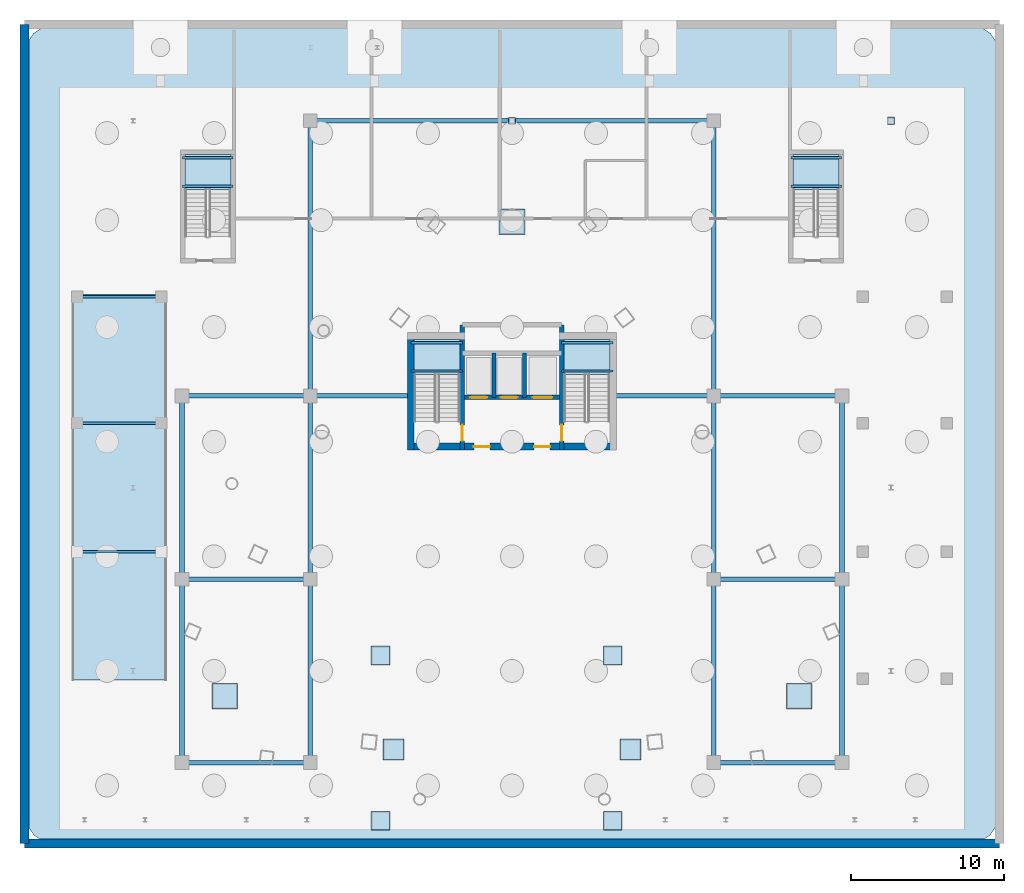
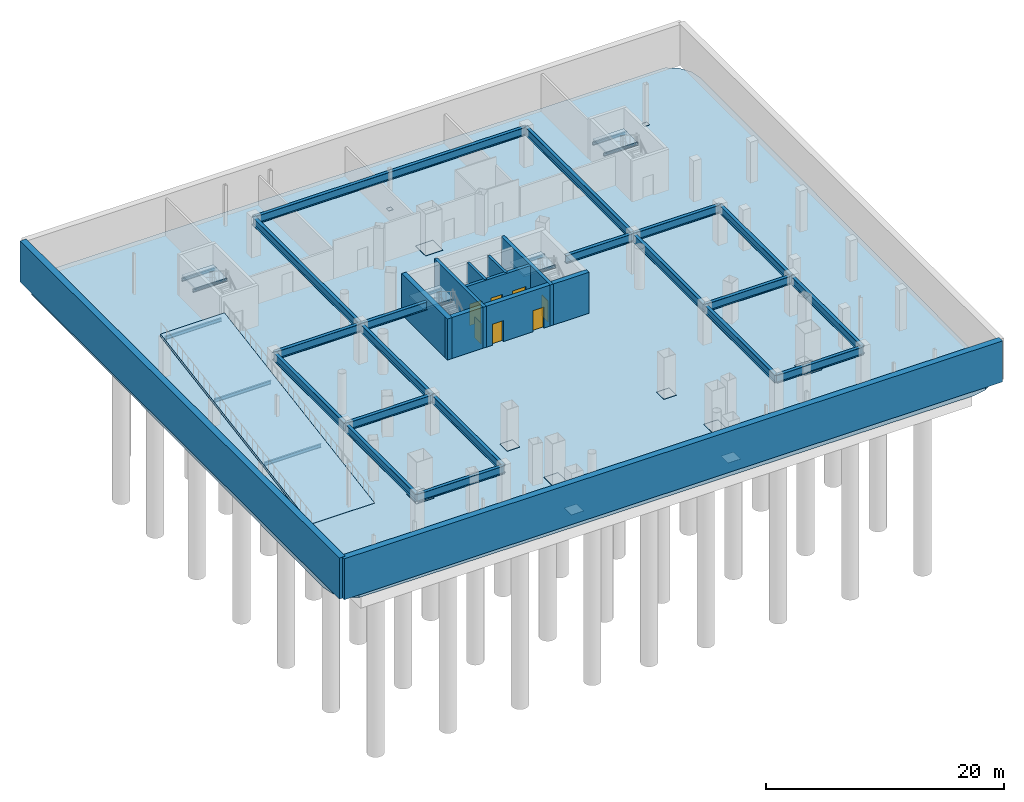
# One storey, part 6 of 12: 30 beams, 11 plates, 9 walls, 7 doors, 6 slabs, 7 openings, 4 elements without a shape of their own.
"""IFC4 building model written with IfcOpenShell, lengths in metres."""

from ifc_helpers import new_model, si_unit, direction, frame, frame_2d, origin, origin_2d, place, context, subcontext, project, spatial, polyline, rectangle, i_section, outline, extrude, material, layer, layer_set, material_profile, profile_set, type_object, element, fill, aggregate, save


model = new_model("IFC4")

# Units and contexts
model_context = context("Model", 3, precision=1e-05, world=origin(), true_north=direction((0.0, 1.0)))
body_context = subcontext(model_context, "Body", "Model", "MODEL_VIEW")
ifc_project = project(units=[si_unit("LENGTHUNIT", "METRE"), si_unit("AREAUNIT", "SQUARE_METRE"), si_unit("VOLUMEUNIT", "CUBIC_METRE"), si_unit("PLANEANGLEUNIT", "RADIAN"), si_unit("MASSUNIT", "GRAM", prefix="KILO")], contexts=[model_context])

# Site, building, storey
site_placement = place(None, origin())
site = spatial("IfcSite", under=ifc_project, at=site_placement, CompositionType="ELEMENT")
building_placement = place(site_placement, origin())
building = spatial("IfcBuilding", under=site, at=building_placement, Name="Orvanel Arch Residences", CompositionType="ELEMENT")
storey_placement = place(building_placement, frame((0.0, 0.0, -8.39990234375)))
storey = spatial("IfcBuildingStorey", under=building, at=storey_placement, Name="B02", CompositionType="ELEMENT", Elevation=-8.39990234375)

# Beams
ifc_material_1 = material(Name="Structural steel AS/NZS 3678 Grade 350", Category="steel")
ifc_material_profile_1 = material_profile(ifc_material_1, i_section(OverallWidth=0.300048828125, OverallDepth=0.81591796875, WebThickness=0.013916015625, FlangeThickness=0.02392578125, at=origin_2d()), Name="800WB192")
ifc_profile_set_1 = profile_set([ifc_material_profile_1], Name="Structural steel AS/NZS 3678 Grade 350")
beam_type_1 = type_object("IfcBeamType", Name="BG-800WB", PredefinedType="BEAM", material=ifc_profile_set_1)
for number, where, z_axis, x_axis, name in (
    (1, (11.39990234375, 6.0, 3.491943359375), (1.0, 0.0, 0.0), (0.0, 1.0, 0.0), "B02 BG-800WB beam"),
    (2, (46.199951171875, 6.0, 3.491943359375), (1.0, 0.0, 0.0), (0.0, 1.0, 0.0), "B02 BG-800WB beam"),
    (3, (11.39990234375, 18.0, 3.491943359375), (1.0, 0.0, 0.0), (0.0, 1.0, 0.0), "B02 BG-800WB beam"),
    (4, (46.199951171875, 18.0, 3.491943359375), (1.0, 0.0, 0.0), (0.0, 1.0, 0.0), "B02 BG-800WB beam"),
    (5, (11.39990234375, 30.0, 3.491943359375), (1.0, 0.0, 0.0), (0.0, 1.0, 0.0), "B02 BG-800WB beam"),
    (6, (46.199951171875, 30.0, 3.491943359375), (1.0, 0.0, 0.0), (0.0, 1.0, 0.0), "B02 BG-800WB beam"),
):
    element("IfcBeam", number, at=place(storey_placement, frame(where, z_axis=z_axis, x_axis=x_axis)), inside=storey, type_object=beam_type_1, Name=name, PredefinedType="BEAM", context=body_context, shape_type="SweptSolid", body=[
        extrude(i_section(OverallWidth=0.300048828125, OverallDepth=0.81591796875, WebThickness=0.013916015625, FlangeThickness=0.02392578125, at=origin_2d()), origin(), (0.0, 0.0, 1.0), 8.400146484375),
    ])
for number, where, z_axis, x_axis, name in (
    (7, (19.800048828125, 30.0, 3.491943359375), (1.0, 0.0, 0.0), (0.0, 1.0, 0.0), "B02 BG-800WB beam"),
    (8, (39.625, 30.0, 3.491943359375), (1.0, 0.0, 0.0), (0.0, 1.0, 0.0), "B02 BG-800WB beam"),
):
    element("IfcBeam", number, at=place(storey_placement, frame(where, z_axis=z_axis, x_axis=x_axis)), inside=storey, type_object=beam_type_1, Name=name, PredefinedType="BEAM", context=body_context, shape_type="SweptSolid", body=[
        extrude(i_section(OverallWidth=0.300048828125, OverallDepth=0.81591796875, WebThickness=0.013916015625, FlangeThickness=0.02392578125, at=origin_2d()), origin(), (0.0, 0.0, 1.0), 6.574951171875),
    ])
beam_1_placement = place(storey_placement, frame((19.800048828125, 48.0, 3.491943359375), z_axis=(1.0, 0.0, 0.0), x_axis=(0.0, 1.0, 0.0)))
element("IfcBeam", 9, at=beam_1_placement, inside=storey, type_object=beam_type_1, Name="B02 BG-800WB beam", PredefinedType="BEAM", context=body_context, shape_type="SweptSolid", body=[
    extrude(i_section(OverallWidth=0.300048828125, OverallDepth=0.81591796875, WebThickness=0.013916015625, FlangeThickness=0.02392578125, at=origin_2d()), origin(), (0.0, 0.0, 1.0), 26.39990234375),
])
for number, where, z_axis, x_axis, name in (
    (10, (11.39990234375, 6.0, 3.491943359375), (0.0, 1.0, 0.0), (-1.0, 0.0, 0.0), "B02 North-South Podium Girder XW11-S"),
    (11, (11.39990234375, 18.0, 3.491943359375), (0.0, 1.0, 0.0), (-1.0, 0.0, 0.0), "B02 North-South Podium Girder XW11-M"),
    (12, (19.800048828125, 6.0, 3.491943359375), (0.0, 1.0, 0.0), (-1.0, 0.0, 0.0), "B02 North-South Podium Girder XW20-S"),
    (13, (19.800048828125, 18.0, 3.491943359375), (0.0, 1.0, 0.0), (-1.0, 0.0, 0.0), "B02 North-South Podium Girder XW20-M"),
):
    element("IfcBeam", number, at=place(storey_placement, frame(where, z_axis=z_axis, x_axis=x_axis)), inside=storey, type_object=beam_type_1, Name=name, PredefinedType="BEAM", context=body_context, shape_type="SweptSolid", body=[
        extrude(i_section(OverallWidth=0.300048828125, OverallDepth=0.81591796875, WebThickness=0.013916015625, FlangeThickness=0.02392578125, at=origin_2d()), origin(), (0.0, 0.0, 1.0), 12.0),
    ])
beam_2_placement = place(storey_placement, frame((19.800048828125, 30.0, 3.491943359375), z_axis=(0.0, 1.0, 0.0), x_axis=(-1.0, 0.0, 0.0)))
element("IfcBeam", 14, at=beam_2_placement, inside=storey, type_object=beam_type_1, Name="B02 North-South Podium Girder XW20-N", PredefinedType="BEAM", context=body_context, shape_type="SweptSolid", body=[
    extrude(i_section(OverallWidth=0.300048828125, OverallDepth=0.81591796875, WebThickness=0.013916015625, FlangeThickness=0.02392578125, at=origin_2d()), origin(), (0.0, 0.0, 1.0), 18.0),
])
for number, where, z_axis, x_axis, name in (
    (15, (46.199951171875, 6.0, 3.491943359375), (0.0, 1.0, 0.0), (-1.0, 0.0, 0.0), "B02 North-South Podium Girder XE46-S"),
    (16, (46.199951171875, 18.0, 3.491943359375), (0.0, 1.0, 0.0), (-1.0, 0.0, 0.0), "B02 North-South Podium Girder XE46-M"),
):
    element("IfcBeam", number, at=place(storey_placement, frame(where, z_axis=z_axis, x_axis=x_axis)), inside=storey, type_object=beam_type_1, Name=name, PredefinedType="BEAM", context=body_context, shape_type="SweptSolid", body=[
        extrude(i_section(OverallWidth=0.300048828125, OverallDepth=0.81591796875, WebThickness=0.013916015625, FlangeThickness=0.02392578125, at=origin_2d()), origin(), (0.0, 0.0, 1.0), 12.0),
    ])
beam_3_placement = place(storey_placement, frame((46.199951171875, 30.0, 3.491943359375), z_axis=(0.0, 1.0, 0.0), x_axis=(-1.0, 0.0, 0.0)))
element("IfcBeam", 17, at=beam_3_placement, inside=storey, type_object=beam_type_1, Name="B02 North-South Podium Girder XE46-N", PredefinedType="BEAM", context=body_context, shape_type="SweptSolid", body=[
    extrude(i_section(OverallWidth=0.300048828125, OverallDepth=0.81591796875, WebThickness=0.013916015625, FlangeThickness=0.02392578125, at=origin_2d()), origin(), (0.0, 0.0, 1.0), 18.0),
])
for number, where, z_axis, x_axis, name in (
    (18, (54.60009765625, 6.0, 3.491943359375), (0.0, 1.0, 0.0), (-1.0, 0.0, 0.0), "B02 North-South Podium Girder XE55-S"),
    (19, (54.60009765625, 18.0, 3.491943359375), (0.0, 1.0, 0.0), (-1.0, 0.0, 0.0), "B02 North-South Podium Girder XE55-M"),
):
    element("IfcBeam", number, at=place(storey_placement, frame(where, z_axis=z_axis, x_axis=x_axis)), inside=storey, type_object=beam_type_1, Name=name, PredefinedType="BEAM", context=body_context, shape_type="SweptSolid", body=[
        extrude(i_section(OverallWidth=0.300048828125, OverallDepth=0.81591796875, WebThickness=0.013916015625, FlangeThickness=0.02392578125, at=origin_2d()), origin(), (0.0, 0.0, 1.0), 12.0),
    ])
ifc_material_2 = material(Name="Structural steel AS/NZS 3679.1 Grade 300 (300 MPa)", Category="steel")
ifc_material_profile_2 = material_profile(ifc_material_2, i_section(OverallWidth=0.14599609375, OverallDepth=0.251953125, WebThickness=0.006103515625, FlangeThickness=0.008544921875, at=origin_2d()), Name="250UB31.4")
ifc_profile_set_2 = profile_set([ifc_material_profile_2], Name="Structural steel AS/NZS 3679.1 Grade 300 (300 MPa)")
beam_type_2 = type_object("IfcBeamType", Name="BJ-250UB", PredefinedType="JOIST", material=ifc_profile_set_2)
for number, where, z_axis, x_axis, name in (
    (20, (26.39990234375, 31.6201171875, 1.77392578125), (1.0, 0.0, 0.0), (0.0, 1.0, 0.0), "B02 ST-1 Half-Landing Support Beam 1.1"),
    (21, (26.39990234375, 33.47998046875, 1.77392578125), (1.0, 0.0, 0.0), (0.0, 1.0, 0.0), "B02 ST-1 Half-Landing Support Beam 1.2"),
    (22, (36.25, 31.6201171875, 1.77392578125), (1.0, 0.0, 0.0), (0.0, 1.0, 0.0), "B02 ST-2 Half-Landing Support Beam 1.1"),
    (23, (36.25, 33.47998046875, 1.77392578125), (1.0, 0.0, 0.0), (0.0, 1.0, 0.0), "B02 ST-2 Half-Landing Support Beam 1.2"),
):
    element("IfcBeam", number, at=place(storey_placement, frame(where, z_axis=z_axis, x_axis=x_axis)), inside=storey, type_object=beam_type_2, Name=name, PredefinedType="JOIST", context=body_context, shape_type="SweptSolid", body=[
        extrude(i_section(OverallWidth=0.14599609375, OverallDepth=0.251953125, WebThickness=0.006103515625, FlangeThickness=0.008544921875, at=origin_2d()), origin(), (0.0, 0.0, 1.0), 3.35009765625),
    ])
for number, where, z_axis, x_axis, name in (
    (24, (11.449951171875, 43.719970703125, 1.77392578125), (1.0, 0.0, 0.0), (0.0, 1.0, 0.0), "B02 ST-3 Half-Landing Support Beam 1.1"),
    (25, (11.449951171875, 45.580078125, 1.77392578125), (1.0, 0.0, 0.0), (0.0, 1.0, 0.0), "B02 ST-3 Half-Landing Support Beam 1.2"),
    (26, (51.25, 43.719970703125, 1.77392578125), (1.0, 0.0, 0.0), (0.0, 1.0, 0.0), "B02 ST-4 Half-Landing Support Beam 1.1"),
    (27, (51.25, 45.580078125, 1.77392578125), (1.0, 0.0, 0.0), (0.0, 1.0, 0.0), "B02 ST-4 Half-Landing Support Beam 1.2"),
):
    element("IfcBeam", number, at=place(storey_placement, frame(where, z_axis=z_axis, x_axis=x_axis)), inside=storey, type_object=beam_type_2, Name=name, PredefinedType="JOIST", context=body_context, shape_type="SweptSolid", body=[
        extrude(i_section(OverallWidth=0.14599609375, OverallDepth=0.251953125, WebThickness=0.006103515625, FlangeThickness=0.008544921875, at=origin_2d()), origin(), (0.0, 0.0, 1.0), 3.300048828125),
    ])
ifc_material_profile_3 = material_profile(ifc_material_2, i_section(OverallWidth=0.1708984375, OverallDepth=0.35595703125, WebThickness=0.00732421875, FlangeThickness=0.011474609375, at=origin_2d()), Name="360UB50.7")
ifc_profile_set_3 = profile_set([ifc_material_profile_3], Name="Structural steel AS/NZS 3679.1 Grade 300 (300 MPa)")
beam_type_3 = type_object("IfcBeamType", Name="BJ-360UB", PredefinedType="JOIST", material=ifc_profile_set_3)
for number, where, z_axis, x_axis, name in (
    (28, (4.550048828125, 19.800048828125, 0.94189453125), (1.0, 0.0, 0.0), (0.0, 1.0, 0.0), "B02 Ramp Support Cross-Beam"),
    (29, (4.550048828125, 28.199951171875, 2.341796875), (1.0, 0.0, 0.0), (0.0, 1.0, 0.0), "B02 Ramp Support Cross-Beam"),
    (30, (4.550048828125, 36.5, 3.721923828125), (1.0, 0.0, 0.0), (0.0, 1.0, 0.0), "B02 Ramp Support Cross-Beam"),
):
    element("IfcBeam", number, at=place(storey_placement, frame(where, z_axis=z_axis, x_axis=x_axis)), inside=storey, type_object=beam_type_3, Name=name, PredefinedType="JOIST", context=body_context, shape_type="SweptSolid", body=[
        extrude(i_section(OverallWidth=0.1708984375, OverallDepth=0.35595703125, WebThickness=0.00732421875, FlangeThickness=0.011474609375, at=origin_2d()), origin(), (0.0, 0.0, 1.0), 5.5),
    ])

# Plates
ifc_layer_1 = layer(ifc_material_1, 0.028076171875)
ifc_layer_set_1 = layer_set([ifc_layer_1], Name="Structural steel AS/NZS 3678 Grade 350")
plate_type = type_object("IfcPlateType", Name="PL-CAP-28", PredefinedType="SHEET", material=ifc_layer_set_1)
for number, where, z_axis, x_axis, name in (
    (31, (33.0, 41.39794921875, -0.01416015625), (0.0, 0.0, 1.0), (1.0, 0.0, 0.0), "B02 hollow member end cap plate"),
    (32, (14.198974609375, 10.35107421875, -0.01416015625), (0.0, 0.0, 1.0), (1.0, 0.0, 0.0), "B02 hollow member end cap plate"),
    (33, (51.801025390625, 10.35107421875, -0.01416015625), (0.0, 0.0, 1.0), (1.0, 0.0, 0.0), "B02 hollow member end cap plate"),
):
    element("IfcPlate", number, at=place(storey_placement, frame(where, z_axis=z_axis, x_axis=x_axis)), inside=storey, type_object=plate_type, Name=name, PredefinedType="SHEET", context=body_context, shape_type="SweptSolid", body=[
        extrude(rectangle(XDim=1.679931640625, YDim=1.679931640625, at=origin_2d()), origin(), (0.0, 0.0, 1.0), 0.028076171875),
    ])
for number, where, z_axis, x_axis, name in (
    (34, (25.25, 6.843994140625, -0.01416015625), (0.0, 0.0, 1.0), (1.0, 0.0, 0.0), "B02 hollow member end cap plate"),
    (35, (40.75, 6.843994140625, -0.01416015625), (0.0, 0.0, 1.0), (1.0, 0.0, 0.0), "B02 hollow member end cap plate"),
):
    element("IfcPlate", number, at=place(storey_placement, frame(where, z_axis=z_axis, x_axis=x_axis)), inside=storey, type_object=plate_type, Name=name, PredefinedType="SHEET", context=body_context, shape_type="SweptSolid", body=[
        extrude(rectangle(XDim=1.3798828125, YDim=1.3798828125, at=origin_2d()), origin(), (0.0, 0.0, 1.0), 0.028076171875),
    ])
for number, where, z_axis, x_axis, name in (
    (36, (24.39990234375, 2.199951171875, -0.01416015625), (0.0, 0.0, 1.0), (1.0, 0.0, 0.0), "B02 hollow member end cap plate"),
    (37, (39.60009765625, 2.199951171875, -0.01416015625), (0.0, 0.0, 1.0), (1.0, 0.0, 0.0), "B02 hollow member end cap plate"),
    (38, (24.39990234375, 13.0, -0.01416015625), (0.0, 0.0, 1.0), (1.0, 0.0, 0.0), "B02 hollow member end cap plate"),
    (39, (39.60009765625, 13.0, -0.01416015625), (0.0, 0.0, 1.0), (1.0, 0.0, 0.0), "B02 hollow member end cap plate"),
):
    element("IfcPlate", number, at=place(storey_placement, frame(where, z_axis=z_axis, x_axis=x_axis)), inside=storey, type_object=plate_type, Name=name, PredefinedType="SHEET", context=body_context, shape_type="SweptSolid", body=[
        extrude(rectangle(XDim=1.22998046875, YDim=1.22998046875, at=origin_2d()), origin(), (0.0, 0.0, 1.0), 0.028076171875),
    ])
plate_1_placement = place(storey_placement, frame((57.800048828125, 48.0, -0.01416015625), z_axis=(0.0, 0.0, 1.0), x_axis=(1.0, 0.0, 0.0)))
element("IfcPlate", 40, at=plate_1_placement, inside=storey, type_object=plate_type, Name="B02 hollow member end cap plate", PredefinedType="SHEET", context=body_context, shape_type="SweptSolid", body=[
    extrude(rectangle(XDim=0.47998046875, YDim=0.47998046875, at=origin_2d()), origin(), (0.0, 0.0, 1.0), 0.028076171875),
])
plate_2_placement = place(storey_placement, frame((33.0, 48.0, -0.01416015625), z_axis=(0.0, 0.0, 1.0), x_axis=(1.0, 0.0, 0.0)))
element("IfcPlate", 41, at=plate_2_placement, inside=storey, type_object=plate_type, Name="B02 hollow member end cap plate", PredefinedType="SHEET", context=body_context, shape_type="SweptSolid", body=[
    extrude(rectangle(XDim=0.429931640625, YDim=0.429931640625, at=origin_2d()), origin(), (0.0, 0.0, 1.0), 0.028076171875),
])

# Slab
ifc_material_3 = material(Name="Concrete N50 (50 MPa)", Category="concrete")
ifc_layer_2 = layer(ifc_material_3, 0.449951171875)
ifc_layer_set_2 = layer_set([ifc_layer_2], Name="Concrete N50 (50 MPa)")
slab_type_1 = type_object("IfcSlabType", Name="SLB-BASE-450", PredefinedType="BASESLAB", material=ifc_layer_set_2)
slab_1_placement = place(storey_placement, frame((0.0, 0.0, -0.4501953125)))
element("IfcSlab", 42, at=slab_1_placement, inside=storey, type_object=slab_type_1, Name="B02 Basement Mat Base Slab", PredefinedType="BASESLAB", context=body_context, shape_type="SweptSolid", body=[
    extrude(outline(polyline([(62.199951171875, 0.39990234375), (63.347900390625, 0.6279296875), (64.321044921875, 1.279052734375), (64.971923828125, 2.251953125), (65.199951171875, 51.60009765625), (64.971923828125, 52.748046875), (64.321044921875, 53.720947265625), (63.347900390625, 54.3720703125), (3.800048828125, 54.60009765625), (2.652099609375, 54.3720703125), (1.678955078125, 53.720947265625), (1.028076171875, 52.748046875), (0.800048828125, 3.39990234375), (1.028076171875, 2.251953125), (1.678955078125, 1.279052734375), (2.652099609375, 0.6279296875), (62.199951171875, 0.39990234375)]), holes=[polyline([(4.179931640625, 13.14990234375), (10.419921875, 13.14990234375), (10.419921875, 11.3798828125), (4.179931640625, 11.3798828125), (4.179931640625, 13.14990234375)])]), origin(), (0.0, 0.0, 1.0), 0.4501953125),
])

# Stair, slab
ifc_material_4 = material(Name="Precast concrete N50 (50 MPa)", Category="concrete")
stair_type = type_object("IfcStairType", Name="STR-DOG-175", PredefinedType="USERDEFINED", material=ifc_material_4)
stair_1_placement = place(storey_placement, origin())
stair_1 = element("IfcStair", 43, at=stair_1_placement, inside=storey, type_object=stair_type, Name="B02 Fire-Isolated Core Exit Stair 1", ObjectType="TWO_RETURN_STAIR", PredefinedType="USERDEFINED")
ifc_material_5 = material(Name="Concrete N40 (40 MPa)", Category="concrete")
ifc_layer_3 = layer(ifc_material_5, 0.199951171875)
ifc_layer_set_3 = layer_set([ifc_layer_3], Name="Concrete N40 (40 MPa)")
slab_type_2 = type_object("IfcSlabType", Name="SLB-LND-200", PredefinedType="LANDING", material=ifc_layer_set_3)
slab_2_placement = place(storey_placement, frame((0.0, 0.0, 1.89990234375)))
slab_2 = element("IfcSlab", 44, at=slab_2_placement, type_object=slab_type_2, Name="ST-1 landing 1", PredefinedType="LANDING", context=body_context, shape_type="SweptSolid", body=[
    extrude(outline(polyline([(29.60009765625, 31.39990234375), (29.60009765625, 33.699951171875), (26.60009765625, 33.699951171875), (26.60009765625, 31.39990234375), (29.60009765625, 31.39990234375)])), origin(), (0.0, 0.0, 1.0), 0.199951171875),
])
aggregate(stair_1, [slab_2])

stair_2_placement = place(storey_placement, origin())
stair_2 = element("IfcStair", 45, at=stair_2_placement, inside=storey, type_object=stair_type, Name="B02 Fire-Isolated Core Exit Stair 2", ObjectType="TWO_RETURN_STAIR", PredefinedType="USERDEFINED")
slab_3_placement = place(storey_placement, frame((0.0, 0.0, 1.89990234375)))
slab_3 = element("IfcSlab", 46, at=slab_3_placement, type_object=slab_type_2, Name="ST-2 landing 1", PredefinedType="LANDING", context=body_context, shape_type="SweptSolid", body=[
    extrude(outline(polyline([(39.39990234375, 31.39990234375), (39.39990234375, 33.699951171875), (36.39990234375, 33.699951171875), (36.39990234375, 31.39990234375), (39.39990234375, 31.39990234375)])), origin(), (0.0, 0.0, 1.0), 0.199951171875),
])
aggregate(stair_2, [slab_3])

stair_3_placement = place(storey_placement, origin())
stair_3 = element("IfcStair", 47, at=stair_3_placement, inside=storey, type_object=stair_type, Name="B02 West Podium Fire-Isolated Exit Stair 3", ObjectType="TWO_RETURN_STAIR", PredefinedType="USERDEFINED")
slab_4_placement = place(storey_placement, frame((0.0, 0.0, 1.89990234375)))
slab_4 = element("IfcSlab", 48, at=slab_4_placement, type_object=slab_type_2, Name="ST-3 landing 1", PredefinedType="LANDING", context=body_context, shape_type="SweptSolid", body=[
    extrude(outline(polyline([(14.60009765625, 43.5), (14.60009765625, 45.800048828125), (11.60009765625, 45.800048828125), (11.60009765625, 43.5), (14.60009765625, 43.5)])), origin(), (0.0, 0.0, 1.0), 0.199951171875),
])
aggregate(stair_3, [slab_4])

stair_4_placement = place(storey_placement, origin())
stair_4 = element("IfcStair", 49, at=stair_4_placement, inside=storey, type_object=stair_type, Name="B02 East Podium Fire-Isolated Exit Stair 4", ObjectType="TWO_RETURN_STAIR", PredefinedType="USERDEFINED")
slab_5_placement = place(storey_placement, frame((0.0, 0.0, 1.89990234375)))
slab_5 = element("IfcSlab", 50, at=slab_5_placement, type_object=slab_type_2, Name="ST-4 landing 1", PredefinedType="LANDING", context=body_context, shape_type="SweptSolid", body=[
    extrude(outline(polyline([(54.39990234375, 43.5), (54.39990234375, 45.800048828125), (51.39990234375, 45.800048828125), (51.39990234375, 43.5), (54.39990234375, 43.5)])), origin(), (0.0, 0.0, 1.0), 0.199951171875),
])
aggregate(stair_4, [slab_5])

# Slab
ifc_layer_4 = layer(ifc_material_3, 0.280029296875)
ifc_layer_set_4 = layer_set([ifc_layer_4], Name="Concrete N50 (50 MPa)")
slab_type_3 = type_object("IfcSlabType", Name="SLB-VRAMP-280", PredefinedType="FLOOR", material=ifc_layer_set_4)
slab_6_placement = place(storey_placement, frame((4.199951171875, 11.39990234375, 0.0), z_axis=(0.0, -0.164395887986, 0.98639444038), x_axis=(1.0, 0.0, 0.0)))
element("IfcSlab", 51, at=slab_6_placement, inside=storey, type_object=slab_type_3, Name="B02 to B01 Structural Vehicle Ramp Slab", PredefinedType="FLOOR", context=body_context, shape_type="SweptSolid", body=[
    extrude(outline(polyline([(0.0, 0.0), (6.199951171875, 0.0), (6.199951171875, 25.54778725514758), (0.0, 25.54778725514758), (0.0, 0.0)])), origin(), (0.0, 0.0, -1.0), 0.280029296875),
])

# Walls
ifc_layer_5 = layer(ifc_material_3, 0.60009765625)
ifc_layer_set_5 = layer_set([ifc_layer_5], Name="Concrete N50 (50 MPa)")
wall_type_1 = type_object("IfcWallType", Name="RW-BSM-600", PredefinedType="USERDEFINED", material=ifc_layer_set_5)
wall_1_placement = place(storey_placement, frame((1.10009765625, 0.699951171875, 0.0), z_axis=(0.0, 0.0, 1.0), x_axis=(1.0, 0.0, 0.0)))
element("IfcWall", 52, at=wall_1_placement, inside=storey, type_object=wall_type_1, Name="B02 S Basement Retaining Wall", ObjectType="RETAININGWALL", PredefinedType="USERDEFINED", context=body_context, shape_type="SweptSolid", body=[
    extrude(rectangle(XDim=63.7998046875, YDim=0.60009765625, at=frame_2d((31.89990234375, 0.0))), origin(), (0.0, 0.0, 1.0), 4.199951171875),
])
wall_2_placement = place(storey_placement, frame((1.10009765625, 54.300048828125, 0.0), z_axis=(0.0, 0.0, 1.0), x_axis=(0.0, -1.0, 0.0)))
element("IfcWall", 53, at=wall_2_placement, inside=storey, type_object=wall_type_1, Name="B02 W Basement Retaining Wall", ObjectType="RETAININGWALL", PredefinedType="USERDEFINED", context=body_context, shape_type="SweptSolid", body=[
    extrude(rectangle(XDim=53.60009765625, YDim=0.60009765625, at=frame_2d((26.800048828125, 0.0))), origin(), (0.0, 0.0, 1.0), 4.199951171875),
])
ifc_layer_6 = layer(ifc_material_3, 0.25)
ifc_layer_set_6 = layer_set([ifc_layer_6], Name="Concrete N50 (50 MPa)")
wall_type_2 = type_object("IfcWallType", Name="SW-CORE-250", PredefinedType="SHEAR", material=ifc_layer_set_6)
for number, where, z_axis, x_axis, name in (
    (54, (31.824951171875, 29.89990234375, 0.0), (0.0, 0.0, 1.0), (0.0, 1.0, 0.0), "B02 Emergency Lift Inter-Shaft Wall F12"),
    (55, (33.824951171875, 29.89990234375, 0.0), (0.0, 0.0, 1.0), (0.0, 1.0, 0.0), "B02 Emergency Lift Inter-Shaft Wall F2G"),
):
    element("IfcWall", number, at=place(storey_placement, frame(where, z_axis=z_axis, x_axis=x_axis)), inside=storey, type_object=wall_type_2, Name=name, PredefinedType="SHEAR", context=body_context, shape_type="SweptSolid", body=[
        extrude(rectangle(XDim=2.900146484375, YDim=0.25, at=frame_2d((1.4501953125, 0.0))), origin(), (0.0, 0.0, 1.0), 4.199951171875),
    ])

# Wall, opening, door
ifc_material_6 = material(Name="Concrete S80 (80 MPa)", Category="concrete")
ifc_layer_7 = layer(ifc_material_6, 0.300048828125)
ifc_layer_set_7 = layer_set([ifc_layer_7], Name="Concrete S80 (80 MPa)")
wall_type_3 = type_object("IfcWallType", Name="SW-CORE-300", PredefinedType="SHEAR", material=ifc_layer_set_7)
wall_3_placement = place(storey_placement, frame((29.75, 26.449951171875, 0.0), z_axis=(0.0, 0.0, 1.0), x_axis=(0.0, 1.0, 0.0)))
wall_3 = element("IfcWall", 56, at=wall_3_placement, inside=storey, type_object=wall_type_3, Name="B02 West Inner Core Spine Shear Wall", PredefinedType="SHEAR", context=body_context, shape_type="SweptSolid", body=[
    extrude(rectangle(XDim=8.199951171875, YDim=0.300048828125, at=frame_2d((4.10009765625, 0.0))), origin(), (0.0, 0.0, 1.0), 4.199951171875),
])
opening_1_placement = place(wall_3_placement, frame((0.60009765625, 0.0, 0.0)))
opening_1 = element("IfcOpeningElement", 57, at=opening_1_placement, cuts=wall_3, Name="Opening DF-120", PredefinedType="OPENING", context=body_context, shape_type="SweptSolid", body=[
    extrude(rectangle(XDim=1.050048828125, YDim=2.14990234375, at=frame_2d((0.52490234375, 1.074951171875))), frame((0.0, 0.159912109375, 0.0), z_axis=(0.0, -1.0, 0.0), x_axis=(1.0, 0.0, 0.0)), (0.0, 0.0, 1.0), 0.320068359375),
])
ifc_material_7 = material(Name="Galvanised steel fire-resisting door assembly", Category="steel")
door_type_1 = type_object("IfcDoorType", Name="DR-FD120-1050", OperationType="NOTDEFINED", PredefinedType="DOOR", material=ifc_material_7)
door_1_placement = place(opening_1_placement, origin())
door_1 = element("IfcDoor", 58, at=door_1_placement, inside=storey, type_object=door_type_1, Name="DR-B02-ST1 B02 Stair 1 Fire Door", OperationType="SINGLE_SWING_LEFT", OverallHeight=2.14990234375, OverallWidth=1.050048828125, PredefinedType="DOOR", context=body_context, shape_type="SweptSolid", body=[
    extrude(rectangle(XDim=1.050048828125, YDim=2.14990234375, at=frame_2d((0.52490234375, 1.074951171875))), frame((0.0, 0.02490234375, 0.0), z_axis=(0.0, -1.0, 0.0), x_axis=(1.0, 0.0, 0.0)), (0.0, 0.0, 1.0), 0.050048828125),
])
fill(opening_1, door_1)

wall_4_placement = place(storey_placement, frame((36.25, 26.449951171875, 0.0), z_axis=(0.0, 0.0, 1.0), x_axis=(0.0, 1.0, 0.0)))
wall_4 = element("IfcWall", 59, at=wall_4_placement, inside=storey, type_object=wall_type_3, Name="B02 East Inner Core Spine Shear Wall", PredefinedType="SHEAR", context=body_context, shape_type="SweptSolid", body=[
    extrude(rectangle(XDim=8.199951171875, YDim=0.300048828125, at=frame_2d((4.10009765625, 0.0))), origin(), (0.0, 0.0, 1.0), 4.199951171875),
])
opening_2_placement = place(wall_4_placement, frame((0.60009765625, 0.0, 0.0)))
opening_2 = element("IfcOpeningElement", 60, at=opening_2_placement, cuts=wall_4, Name="Opening DF-120", PredefinedType="OPENING", context=body_context, shape_type="SweptSolid", body=[
    extrude(rectangle(XDim=1.050048828125, YDim=2.14990234375, at=frame_2d((0.52490234375, 1.074951171875))), frame((0.0, 0.159912109375, 0.0), z_axis=(0.0, -1.0, 0.0), x_axis=(1.0, 0.0, 0.0)), (0.0, 0.0, 1.0), 0.320068359375),
])
door_2_placement = place(opening_2_placement, origin())
door_2 = element("IfcDoor", 61, at=door_2_placement, inside=storey, type_object=door_type_1, Name="DR-B02-ST2 B02 Stair 2 Fire Door", OperationType="SINGLE_SWING_RIGHT", OverallHeight=2.14990234375, OverallWidth=1.050048828125, PredefinedType="DOOR", context=body_context, shape_type="SweptSolid", body=[
    extrude(rectangle(XDim=1.050048828125, YDim=2.14990234375, at=frame_2d((0.52490234375, 1.074951171875))), frame((0.0, 0.02490234375, 0.0), z_axis=(0.0, -1.0, 0.0), x_axis=(1.0, 0.0, 0.0)), (0.0, 0.0, 1.0), 0.050048828125),
])
fill(opening_2, door_2)

# Wall, openings, doors
wall_5_placement = place(storey_placement, frame((36.25, 29.89990234375, 0.0), z_axis=(0.0, 0.0, 1.0), x_axis=(-1.0, 0.0, 0.0)))
wall_5 = element("IfcWall", 62, at=wall_5_placement, inside=storey, type_object=wall_type_3, Name="B02 Emergency Lift Front Core Shear Wall", PredefinedType="SHEAR", context=body_context, shape_type="SweptSolid", body=[
    extrude(rectangle(XDim=6.5, YDim=0.300048828125, at=frame_2d((3.25, 0.0))), origin(), (0.0, 0.0, 1.0), 4.199951171875),
])
opening_3_placement = place(wall_5_placement, frame((4.875, 0.0, 0.0)))
opening_3 = element("IfcOpeningElement", 63, at=opening_3_placement, cuts=wall_5, Name="Opening LD-110", PredefinedType="OPENING", context=body_context, shape_type="SweptSolid", body=[
    extrude(rectangle(XDim=1.10009765625, YDim=2.199951171875, at=frame_2d((0.550048828125, 1.10009765625))), frame((0.0, 0.159912109375, 0.0), z_axis=(0.0, -1.0, 0.0), x_axis=(1.0, 0.0, 0.0)), (0.0, 0.0, 1.0), 0.320068359375),
])
opening_4_placement = place(wall_5_placement, frame((2.875, 0.0, 0.0)))
opening_4 = element("IfcOpeningElement", 64, at=opening_4_placement, cuts=wall_5, Name="Opening LD-110", PredefinedType="OPENING", context=body_context, shape_type="SweptSolid", body=[
    extrude(rectangle(XDim=1.10009765625, YDim=2.199951171875, at=frame_2d((0.550048828125, 1.10009765625))), frame((0.0, 0.159912109375, 0.0), z_axis=(0.0, -1.0, 0.0), x_axis=(1.0, 0.0, 0.0)), (0.0, 0.0, 1.0), 0.320068359375),
])
opening_5_placement = place(wall_5_placement, frame((0.60009765625, 0.0, 0.0)))
opening_5 = element("IfcOpeningElement", 65, at=opening_5_placement, cuts=wall_5, Name="Opening LD-130", PredefinedType="OPENING", context=body_context, shape_type="SweptSolid", body=[
    extrude(rectangle(XDim=1.300048828125, YDim=2.199951171875, at=frame_2d((0.64990234375, 1.10009765625))), frame((0.0, 0.159912109375, 0.0), z_axis=(0.0, -1.0, 0.0), x_axis=(1.0, 0.0, 0.0)), (0.0, 0.0, 1.0), 0.320068359375),
])
door_type_2 = type_object("IfcDoorType", Name="DR-LFT-1100", OperationType="NOTDEFINED", PredefinedType="DOOR", material=ifc_material_7)
door_3_placement = place(opening_3_placement, origin())
door_3 = element("IfcDoor", 66, at=door_3_placement, inside=storey, type_object=door_type_2, Name="LD-F1-B02 B02 Lift F1 Sliding Landing Door", OperationType="DOUBLE_DOOR_SLIDING", OverallHeight=2.199951171875, OverallWidth=1.10009765625, PredefinedType="DOOR", context=body_context, shape_type="SweptSolid", body=[
    extrude(rectangle(XDim=1.10009765625, YDim=2.199951171875, at=frame_2d((0.550048828125, 1.10009765625))), frame((0.0, 0.02490234375, 0.0), z_axis=(0.0, -1.0, 0.0), x_axis=(1.0, 0.0, 0.0)), (0.0, 0.0, 1.0), 0.050048828125),
])
fill(opening_3, door_3)
door_4_placement = place(opening_4_placement, origin())
door_4 = element("IfcDoor", 67, at=door_4_placement, inside=storey, type_object=door_type_2, Name="LD-F2-B02 B02 Lift F2 Sliding Landing Door", OperationType="DOUBLE_DOOR_SLIDING", OverallHeight=2.199951171875, OverallWidth=1.10009765625, PredefinedType="DOOR", context=body_context, shape_type="SweptSolid", body=[
    extrude(rectangle(XDim=1.10009765625, YDim=2.199951171875, at=frame_2d((0.550048828125, 1.10009765625))), frame((0.0, 0.02490234375, 0.0), z_axis=(0.0, -1.0, 0.0), x_axis=(1.0, 0.0, 0.0)), (0.0, 0.0, 1.0), 0.050048828125),
])
fill(opening_4, door_4)
door_type_3 = type_object("IfcDoorType", Name="DR-LFT-1300", OperationType="NOTDEFINED", PredefinedType="DOOR", material=ifc_material_7)
door_5_placement = place(opening_5_placement, origin())
door_5 = element("IfcDoor", 68, at=door_5_placement, inside=storey, type_object=door_type_3, Name="LD-G1-B02 B02 Lift G1 Sliding Landing Door", OperationType="DOUBLE_DOOR_SLIDING", OverallHeight=2.199951171875, OverallWidth=1.300048828125, PredefinedType="DOOR", context=body_context, shape_type="SweptSolid", body=[
    extrude(rectangle(XDim=1.300048828125, YDim=2.199951171875, at=frame_2d((0.64990234375, 1.10009765625))), frame((0.0, 0.02490234375, 0.0), z_axis=(0.0, -1.0, 0.0), x_axis=(1.0, 0.0, 0.0)), (0.0, 0.0, 1.0), 0.050048828125),
])
fill(opening_5, door_5)

ifc_layer_8 = layer(ifc_material_6, 0.449951171875)
ifc_layer_set_8 = layer_set([ifc_layer_8], Name="Concrete S80 (80 MPa)")
wall_type_4 = type_object("IfcWallType", Name="SW-CORE-450", PredefinedType="SHEAR", material=ifc_layer_set_8)
wall_6_placement = place(storey_placement, frame((26.14990234375, 26.675048828125, 0.0), z_axis=(0.0, 0.0, 1.0), x_axis=(1.0, 0.0, 0.0)))
wall_6 = element("IfcWall", 69, at=wall_6_placement, inside=storey, type_object=wall_type_4, Name="B02 South Core Shear Wall", PredefinedType="SHEAR", context=body_context, shape_type="SweptSolid", body=[
    extrude(rectangle(XDim=13.7001953125, YDim=0.449951171875, at=frame_2d((6.85009765625, 0.0))), origin(), (0.0, 0.0, 1.0), 4.199951171875),
])
opening_6_placement = place(wall_6_placement, frame((4.35009765625, 0.0, 0.0)))
opening_6 = element("IfcOpeningElement", 70, at=opening_6_placement, cuts=wall_6, Name="Opening DF-060", PredefinedType="OPENING", context=body_context, shape_type="SweptSolid", body=[
    extrude(rectangle(XDim=1.050048828125, YDim=2.14990234375, at=frame_2d((0.52490234375, 1.074951171875))), frame((0.0, 0.23486328125, 0.0), z_axis=(0.0, -1.0, 0.0), x_axis=(1.0, 0.0, 0.0)), (0.0, 0.0, 1.0), 0.469970703125),
])
opening_7_placement = place(wall_6_placement, frame((8.300048828125, 0.0, 0.0)))
opening_7 = element("IfcOpeningElement", 71, at=opening_7_placement, cuts=wall_6, Name="Opening DF-060", PredefinedType="OPENING", context=body_context, shape_type="SweptSolid", body=[
    extrude(rectangle(XDim=1.050048828125, YDim=2.14990234375, at=frame_2d((0.52490234375, 1.074951171875))), frame((0.0, 0.23486328125, 0.0), z_axis=(0.0, -1.0, 0.0), x_axis=(1.0, 0.0, 0.0)), (0.0, 0.0, 1.0), 0.469970703125),
])
door_type_4 = type_object("IfcDoorType", Name="DR-FD60-1050", OperationType="NOTDEFINED", PredefinedType="DOOR", material=ifc_material_7)
door_6_placement = place(opening_6_placement, origin())
door_6 = element("IfcDoor", 72, at=door_6_placement, inside=storey, type_object=door_type_4, Name="DR-B02-FFL-W B02 West Smoke Lobby Door", OperationType="SINGLE_SWING_LEFT", OverallHeight=2.14990234375, OverallWidth=1.050048828125, PredefinedType="DOOR", context=body_context, shape_type="SweptSolid", body=[
    extrude(rectangle(XDim=1.050048828125, YDim=2.14990234375, at=frame_2d((0.52490234375, 1.074951171875))), frame((0.0, 0.02490234375, 0.0), z_axis=(0.0, -1.0, 0.0), x_axis=(1.0, 0.0, 0.0)), (0.0, 0.0, 1.0), 0.050048828125),
])
fill(opening_6, door_6)
door_7_placement = place(opening_7_placement, origin())
door_7 = element("IfcDoor", 73, at=door_7_placement, inside=storey, type_object=door_type_4, Name="DR-B02-FFL-E B02 East Smoke Lobby Door", OperationType="SINGLE_SWING_RIGHT", OverallHeight=2.14990234375, OverallWidth=1.050048828125, PredefinedType="DOOR", context=body_context, shape_type="SweptSolid", body=[
    extrude(rectangle(XDim=1.050048828125, YDim=2.14990234375, at=frame_2d((0.52490234375, 1.074951171875))), frame((0.0, 0.02490234375, 0.0), z_axis=(0.0, -1.0, 0.0), x_axis=(1.0, 0.0, 0.0)), (0.0, 0.0, 1.0), 0.050048828125),
])
fill(opening_7, door_7)

# Wall
wall_7_placement = place(storey_placement, frame((26.375, 26.449951171875, 0.0), z_axis=(0.0, 0.0, 1.0), x_axis=(0.0, 1.0, 0.0)))
element("IfcWall", 74, at=wall_7_placement, inside=storey, type_object=wall_type_4, Name="B02 West Stair Shear Wall", PredefinedType="SHEAR", context=body_context, shape_type="SweptSolid", body=[
    extrude(rectangle(XDim=7.699951171875, YDim=0.449951171875, at=frame_2d((3.85009765625, 0.0))), origin(), (0.0, 0.0, 1.0), 4.199951171875),
])

save(model, "model.ifc")
